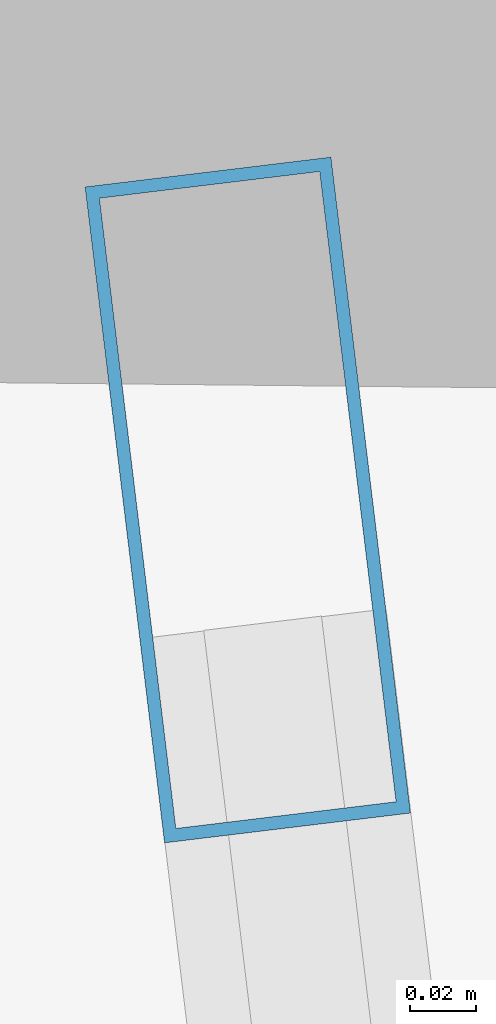
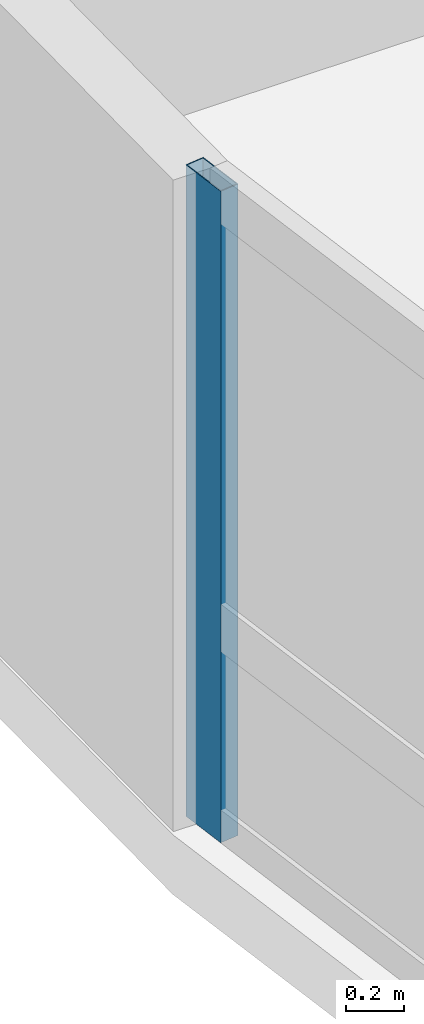
# One storey, part 8 of 24: 1 member, 1 element without a shape of its own.
"""IFC4 building model written with IfcOpenShell, lengths in metres."""

from ifc_helpers import new_model, si_unit, direction, frame, origin, origin_2d, place, context, subcontext, project, spatial, hollow_rectangle, extrude, material, layer, layer_set, material_profile, profile_set, type_object, element, aggregate, save


model = new_model("IFC4")

# Units and contexts
model_context = context("Model", 3, precision=1e-05, world=origin(), true_north=direction((0.0, 1.0)))
body_context = subcontext(model_context, "Body", "Model", "MODEL_VIEW")
ifc_project = project(units=[si_unit("LENGTHUNIT", "METRE"), si_unit("AREAUNIT", "SQUARE_METRE"), si_unit("VOLUMEUNIT", "CUBIC_METRE"), si_unit("PLANEANGLEUNIT", "RADIAN"), si_unit("MASSUNIT", "GRAM", prefix="KILO")], contexts=[model_context])

# Site, building, storey
site_placement = place(None, origin())
site = spatial("IfcSite", under=ifc_project, at=site_placement, CompositionType="ELEMENT")
building_placement = place(site_placement, origin())
building = spatial("IfcBuilding", under=site, at=building_placement, Name="Varnelok Gate Tower", CompositionType="ELEMENT")
storey_placement = place(building_placement, frame((0.0, 0.0, 167.199951171875)))
storey = spatial("IfcBuildingStorey", under=building, at=storey_placement, Name="L42", CompositionType="ELEMENT", Elevation=167.199951171875)

# Curtain wall, member
ifc_material = material(Name="Anodized Aluminum Alloy 6063-T6", Category="aluminium")
ifc_layer = layer(ifc_material, 0.179931640625)
ifc_layer_set = layer_set([ifc_layer], Name="Anodized Aluminum Alloy 6063-T6")
curtain_wall_type = type_object("IfcCurtainWallType", Name="CW4-RESIDENCE-VISION", PredefinedType="USERDEFINED", material=ifc_layer_set)
curtain_wall_placement = place(storey_placement, origin())
curtain_wall = element("IfcCurtainWall", 1, at=curtain_wall_placement, inside=storey, type_object=curtain_wall_type, Name="L42 West End Vision Curtain Wall", ObjectType="UNITISED CURTAIN WALL", PredefinedType="USERDEFINED")
ifc_material_profile = material_profile(ifc_material, hollow_rectangle(XDim=0.074951171875, YDim=0.199951171875, WallThickness=0.00390625, at=origin_2d()), Name="ALU200X75X4")
ifc_profile_set = profile_set([ifc_material_profile], Name="Anodized Aluminum Alloy 6063-T6")
member_type = type_object("IfcMemberType", Name="CW-MULL-200", PredefinedType="MULLION", material=ifc_profile_set)
member_placement = place(storey_placement, frame((2.290283203125, 37.610107421875, 0.0), z_axis=(0.0, 0.0, 1.0), x_axis=(-0.992732188751, -0.120344511371, 0.0)))
member = element("IfcMember", 2, at=member_placement, type_object=member_type, Name="CW4 mullion 6", PredefinedType="MULLION", context=body_context, shape_type="SweptSolid", body=[
    extrude(hollow_rectangle(XDim=0.074951171875, YDim=0.199951171875, WallThickness=0.00390625, at=origin_2d()), origin(), (0.0, 0.0, 1.0), 2.72998046875),
])
aggregate(curtain_wall, [member])

save(model, "model.ifc")
